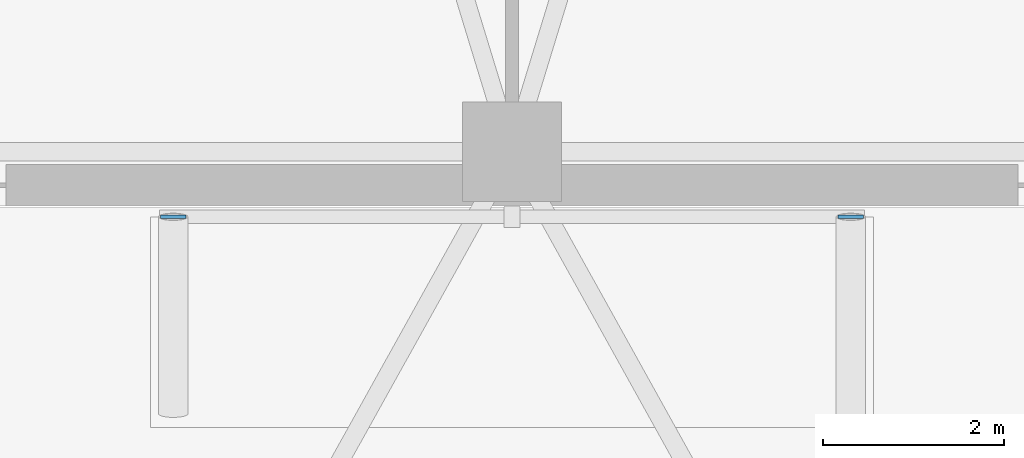
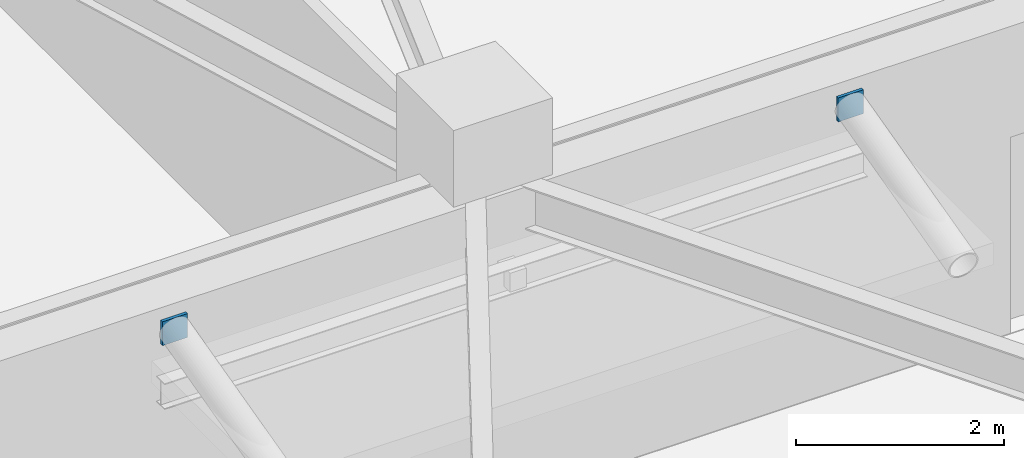
# One storey, part 6 of 19: 2 plates.
"""IFC4 building model written with IfcOpenShell, lengths in metres."""

import ifcopenshell
import ifcopenshell.guid

model = None  # the IFC model being written
_history = None  # IfcOwnerHistory: only IFC2X3 demands one
_inside = {}  # id of a spatial element -> (the spatial element, [elements in it])
_under = {}  # id of a project, library or spatial element -> (it, [spatial elements below it])
_declared = {}  # id of a project -> (the project, [libraries it declares])
_typed = {}  # id of a type object -> (the type object, [elements of that type])
_made_of = {}  # id of a material, layer set ... -> (it, [elements and type objects made of it])


def new_model(schema):
    """Start an empty IFC model of exactly this schema.

    Asked for "IFC4X3", IfcOpenShell would pick the latest addendum, in which some entities
    have other attributes; the version numbers below select the first issue.
    IFC2X3 requires an IfcOwnerHistory on every rooted entity: one is made here for all.
    """
    global model, _history
    if schema == "IFC4X3":
        model = ifcopenshell.file(schema_version=(4, 3, 0, 0))
    else:
        model = ifcopenshell.file(schema=schema)
    _inside.clear()
    _under.clear()
    _declared.clear()
    _typed.clear()
    _made_of.clear()
    _history = None
    if model.schema == "IFC2X3":
        org = make("IfcOrganization", Name="unknown")
        user = make(
            "IfcPersonAndOrganization",
            ThePerson=make("IfcPerson", FamilyName="unknown"),
            TheOrganization=org,
        )
        app = make(
            "IfcApplication",
            ApplicationDeveloper=org,
            Version="unknown",
            ApplicationFullName="unknown",
            ApplicationIdentifier="unknown",
        )
        _history = make(
            "IfcOwnerHistory",
            OwningUser=user,
            OwningApplication=app,
            ChangeAction="ADDED",
            CreationDate=0,
        )
    return model


def make(cls, **values):
    """One entity of the class cls with the attributes given. An attribute that is None is left unset."""
    return model.create_entity(
        cls, **{name: value for name, value in values.items() if value is not None}
    )


def rooted(cls, **values):
    """An entity with a GlobalId (a new one), such as an element, a storey or a relation."""
    return make(cls, GlobalId=ifcopenshell.guid.new(), OwnerHistory=_history, **values)


def si_unit(unit_type, name, prefix=None):
    """IfcSIUnit, for example si_unit("LENGTHUNIT", "METRE", prefix="MILLI")."""
    return make("IfcSIUnit", UnitType=unit_type, Prefix=prefix, Name=name)


def assignment(units):
    """IfcUnitAssignment: the units of a project."""
    return None if units is None else make("IfcUnitAssignment", Units=units)


def point(xyz):
    """IfcCartesianPoint."""
    return None if xyz is None else make("IfcCartesianPoint", Coordinates=xyz)


def direction(xyz):
    """IfcDirection."""
    return None if xyz is None else make("IfcDirection", DirectionRatios=xyz)


def frame(location, z_axis=None, x_axis=None):
    """IfcAxis2Placement3D, a coordinate frame: its origin and axes. An axis left out is left unset."""
    return make(
        "IfcAxis2Placement3D",
        Location=point(location),
        Axis=direction(z_axis),
        RefDirection=direction(x_axis),
    )


def frame_2d(location, x_axis=None):
    """IfcAxis2Placement2D, a coordinate frame in the plane: its origin and x axis."""
    return make(
        "IfcAxis2Placement2D", Location=point(location), RefDirection=direction(x_axis)
    )


def origin():
    """The frame at (0, 0, 0) with its axes left unset."""
    return frame((0.0, 0.0, 0.0))


def origin_2d():
    """The frame at (0, 0) in the plane with its x axis left unset."""
    return frame_2d((0.0, 0.0))


def place(relative_to, where):
    """IfcLocalPlacement: puts the frame where relative to a parent placement (None: the world)."""
    return make(
        "IfcLocalPlacement", PlacementRelTo=relative_to, RelativePlacement=where
    )


def context(
    kind, dimensions, precision=None, world=None, true_north=None, identifier=None
):
    """IfcGeometricRepresentationContext, for example the 3D "Model" context."""
    return make(
        "IfcGeometricRepresentationContext",
        ContextIdentifier=identifier,
        ContextType=kind,
        CoordinateSpaceDimension=dimensions,
        Precision=precision,
        WorldCoordinateSystem=world,
        TrueNorth=true_north,
    )


def subcontext(parent, identifier, kind, view, scale=None):
    """IfcGeometricRepresentationSubContext, for example "Body" below "Model"."""
    return make(
        "IfcGeometricRepresentationSubContext",
        ContextIdentifier=identifier,
        ContextType=kind,
        ParentContext=parent,
        TargetScale=scale,
        TargetView=view,
    )


def project(units=None, contexts=None):
    """IfcProject with its units and contexts."""
    return rooted(
        "IfcProject",
        Name="project",
        RepresentationContexts=contexts,
        UnitsInContext=assignment(units),
    )


def spatial(cls, under=None, at=None, **own):
    """A site, building, storey or space (cls), placed at a placement, below another one or the project."""
    s = rooted(cls, ObjectPlacement=at, **own)
    if under is not None:
        _under.setdefault(under.id(), (under, []))[1].append(s)
    return s


def profile(cls, at=None, kind="AREA", **sizes):
    """A parametric profile (cls). Its sizes go by their IFC names, for example OverallWidth=200.0."""
    return make(cls, ProfileType=kind, Position=at, **sizes)


def rectangle(**sizes):
    """IfcRectangleProfileDef."""
    return profile("IfcRectangleProfileDef", **sizes)


def extrude(swept, where, along, depth):
    """IfcExtrudedAreaSolid: the profile swept, set in the frame where, extruded along a direction by depth."""
    return make(
        "IfcExtrudedAreaSolid",
        SweptArea=swept,
        Position=where,
        ExtrudedDirection=direction(along),
        Depth=depth,
    )


def shape(context_of_items, identifier, shape_type, items):
    """IfcShapeRepresentation: the items that make up one representation, for example the "Body"."""
    return make(
        "IfcShapeRepresentation",
        ContextOfItems=context_of_items,
        RepresentationIdentifier=identifier,
        RepresentationType=shape_type,
        Items=items,
    )


def source(mapping_origin, context_of_items, identifier, shape_type, items):
    """IfcRepresentationMap: a shape defined once, which mapped items show again and again."""
    return make(
        "IfcRepresentationMap",
        MappingOrigin=mapping_origin,
        MappedRepresentation=shape(context_of_items, identifier, shape_type, items),
    )


def transform(
    local_origin,
    x_axis=None,
    y_axis=None,
    z_axis=None,
    scale=None,
    scale2=None,
    scale3=None,
    uniform=True,
):
    """IfcCartesianTransformationOperator3D, or its non-uniform kind. x_axis, y_axis, z_axis: its Axis1, 2, 3."""
    if uniform:
        return make(
            "IfcCartesianTransformationOperator3D",
            Axis1=direction(x_axis),
            Axis2=direction(y_axis),
            LocalOrigin=point(local_origin),
            Scale=scale,
            Axis3=direction(z_axis),
        )
    return make(
        "IfcCartesianTransformationOperator3DnonUniform",
        Axis1=direction(x_axis),
        Axis2=direction(y_axis),
        LocalOrigin=point(local_origin),
        Scale=scale,
        Axis3=direction(z_axis),
        Scale2=scale2,
        Scale3=scale3,
    )


def mapped(mapping_source, mapping_target):
    """IfcMappedItem: shows the shape of a source again, moved by a transform."""
    return make(
        "IfcMappedItem", MappingSource=mapping_source, MappingTarget=mapping_target
    )


def material(Name=None, Category=None):
    """IfcMaterial."""
    return make("IfcMaterial", Name=Name, Category=Category)


def layer(
    of_material, thickness, ventilated=None, Name=None, Category=None, Priority=None
):
    """IfcMaterialLayer: one layer of a wall or slab, of a material (None: an air gap)."""
    return make(
        "IfcMaterialLayer",
        Material=of_material,
        LayerThickness=thickness,
        IsVentilated=ventilated,
        Name=Name,
        Category=Category,
        Priority=Priority,
    )


def layer_set(layers, Name=None):
    """IfcMaterialLayerSet."""
    return make("IfcMaterialLayerSet", MaterialLayers=layers, LayerSetName=Name)


def made_of(thing, what):
    """Note that an element or type object is made of a material, layer set ...; save() writes the relation."""
    if what is not None:
        _made_of.setdefault(what.id(), (what, []))[1].append(thing)
    return thing


def type_object(cls, material=None, **own):
    """A type object (cls), such as IfcWallType, which elements share."""
    return made_of(rooted(cls, **own), material)


def element(
    cls,
    number,
    at=None,
    inside=None,
    cuts=None,
    type_object=None,
    material=None,
    context=None,
    identifier="Body",
    shape_type=None,
    held_by="IfcProductDefinitionShape",
    body=None,
    shapes=None,
    **own,
):
    """One element of the class cls, such as IfcWall. Its Tag is "e" and its number.

    at: its placement. inside: the storey or other place that contains it. cuts: it is an
    opening in that element (IfcRelVoidsElement). A single representation is given by context,
    identifier, shape_type and body (its items); several are given by shapes. held_by: the class
    of the entity that holds the representations. save() writes the other relations.
    """
    e = rooted(cls, Tag="e%d" % number, ObjectPlacement=at, **own)
    if body is not None:
        shapes = [shape(context, identifier, shape_type, body)]
    if shapes is not None:
        e.Representation = make(held_by, Representations=shapes)
    if inside is not None:
        _inside.setdefault(inside.id(), (inside, []))[1].append(e)
    if cuts is not None:
        rooted(
            "IfcRelVoidsElement", RelatingBuildingElement=cuts, RelatedOpeningElement=e
        )
    if type_object is not None:
        _typed.setdefault(type_object.id(), (type_object, []))[1].append(e)
    return made_of(e, material)


def aggregate(whole, parts):
    """IfcRelAggregates: a whole, such as a stair, and the parts it consists of."""
    return rooted("IfcRelAggregates", RelatingObject=whole, RelatedObjects=parts)


def save(model, path):
    """Write the relations noted so far, then the file.

    IfcRelAggregates (storeys below a building ...), IfcRelContainedInSpatialStructure (elements
    in a storey), IfcRelDefinesByType, IfcRelAssociatesMaterial and IfcRelDeclares: one each for
    every whole, place, type object, material and project.
    """
    for whole, parts in _under.values():
        aggregate(whole, parts)
    for where, things in _inside.values():
        rooted(
            "IfcRelContainedInSpatialStructure",
            RelatedElements=things,
            RelatingStructure=where,
        )
    for kind, things in _typed.values():
        rooted("IfcRelDefinesByType", RelatedObjects=things, RelatingType=kind)
    for what, things in _made_of.values():
        rooted("IfcRelAssociatesMaterial", RelatedObjects=things, RelatingMaterial=what)
    for by, libraries in _declared.values():
        rooted("IfcRelDeclares", RelatingContext=by, RelatedDefinitions=libraries)
    model.write(path)


model = new_model("IFC4")

# Units and contexts
model_context = context("Model", 3, precision=1e-05, world=origin(), true_north=direction((0.0, 1.0)))
body_context = subcontext(model_context, "Body", "Model", "MODEL_VIEW")
ifc_project = project(units=[si_unit("LENGTHUNIT", "METRE"), si_unit("AREAUNIT", "SQUARE_METRE"), si_unit("VOLUMEUNIT", "CUBIC_METRE"), si_unit("PLANEANGLEUNIT", "RADIAN"), si_unit("MASSUNIT", "GRAM", prefix="KILO")], contexts=[model_context])

# Site, building, storey
site_placement = place(None, origin())
site = spatial("IfcSite", under=ifc_project, at=site_placement, CompositionType="ELEMENT")
building_placement = place(site_placement, origin())
building = spatial("IfcBuilding", under=site, at=building_placement, Name="Liaohun Quay Tower", CompositionType="ELEMENT")
storey_placement = place(building_placement, frame((0.0, 0.0, 18.89990234375)))
storey = spatial("IfcBuildingStorey", under=building, at=storey_placement, Name="L05", CompositionType="ELEMENT", Elevation=18.89990234375)

# Plates
ifc_material = material(Name="Steel Q420D outrigger node gusset plate", Category="steel")
ifc_layer = layer(ifc_material, 0.0400390625, Name="Steel Q420D outrigger node gusset plate", Category="steel")
ifc_layer_set = layer_set([ifc_layer], Name="Steel Q420D outrigger node gusset plate")
plate_type = type_object("IfcPlateType", Name="PLT-GUS-OUT", PredefinedType="USERDEFINED", material=ifc_layer_set)
shared_shape = source(origin(), body_context, "Body", "SweptSolid", [
    extrude(rectangle(XDim=0.280029296875, YDim=0.035888671875, at=origin_2d()), origin(), (0.0, 0.0, 1.0), 0.280029296875),
])
for number, where, z_axis, x_axis, name in (
    (1, (56.25, 23.280029296875, 3.26025390625), (0.0, 0.0, 1.0), (1.0, 0.0, 0.0), "L05 Terrace Canopy Tie Strut Anchor Gusset Plate 1"),
    (2, (63.75, 23.280029296875, 3.26025390625), (0.0, 0.0, 1.0), (1.0, 0.0, 0.0), "L05 Terrace Canopy Tie Strut Anchor Gusset Plate 2"),
):
    element("IfcPlate", number, at=place(storey_placement, frame(where, z_axis=z_axis, x_axis=x_axis)), inside=storey, type_object=plate_type, Name=name, ObjectType="GUSSET PLATE", PredefinedType="USERDEFINED", context=body_context, shape_type="MappedRepresentation", body=[
        mapped(shared_shape, transform((0.0, 0.0, 0.0), x_axis=(1.0, 0.0, 0.0), y_axis=(0.0, 1.0, 0.0), z_axis=(0.0, 0.0, 1.0), scale=1.0)),
    ])

save(model, "model.ifc")
